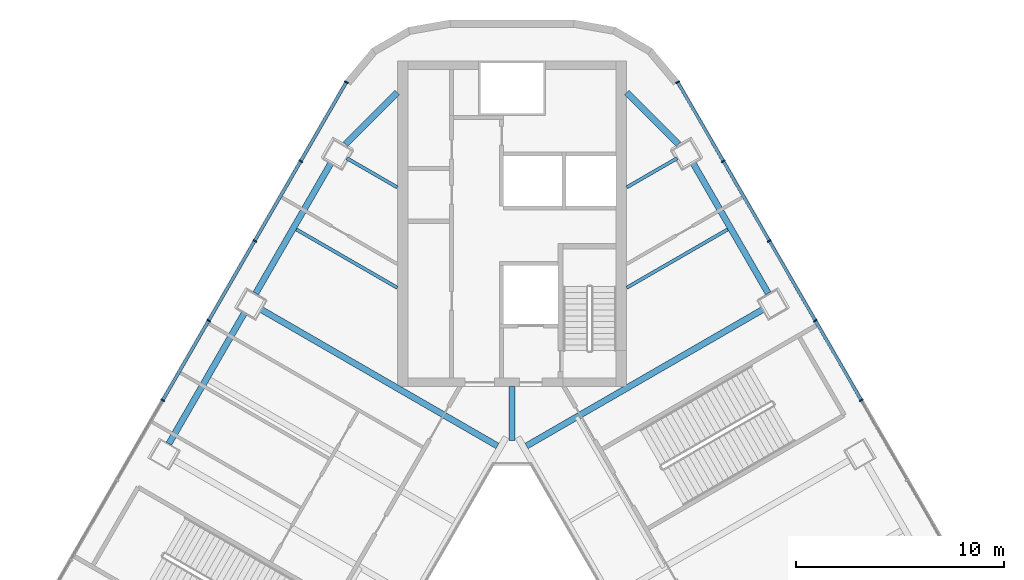
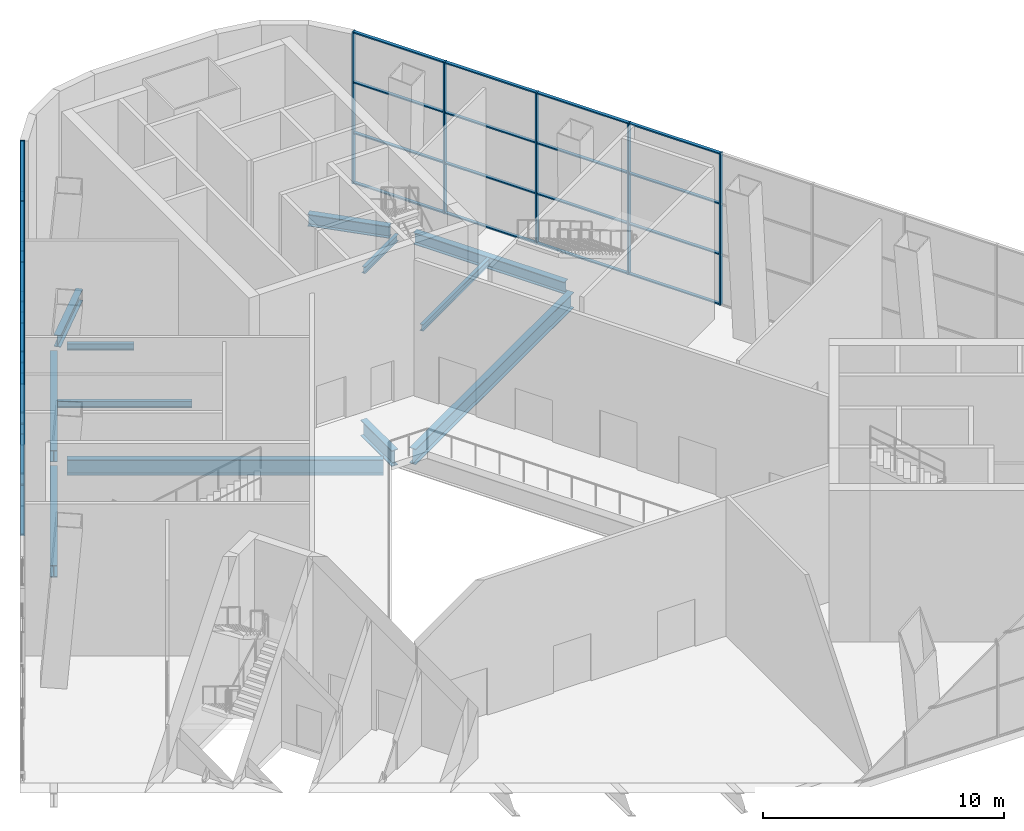
# One storey, part 6 of 16: 42 members, 12 beams, 2 elements without a shape of their own.
"""IFC4 building model written with IfcOpenShell, lengths in metres."""

from ifc_helpers import new_model, si_unit, direction, frame, origin, origin_2d, place, context, subcontext, project, spatial, rectangle, i_section, extrude, material, layer, layer_set, material_profile, profile_set, type_object, element, aggregate, save


model = new_model("IFC4")

# Units and contexts
model_context = context("Model", 3, precision=1e-05, world=origin(), true_north=direction((0.0, 1.0)))
body_context = subcontext(model_context, "Body", "Model", "MODEL_VIEW")
ifc_project = project(units=[si_unit("LENGTHUNIT", "METRE"), si_unit("AREAUNIT", "SQUARE_METRE"), si_unit("VOLUMEUNIT", "CUBIC_METRE"), si_unit("PLANEANGLEUNIT", "RADIAN"), si_unit("MASSUNIT", "GRAM", prefix="KILO")], contexts=[model_context])

# Site, building, storey
site_placement = place(None, origin())
site = spatial("IfcSite", under=ifc_project, at=site_placement, CompositionType="ELEMENT")
building_placement = place(site_placement, origin())
building = spatial("IfcBuilding", under=site, at=building_placement, Name="Apuvela Tower Hotel", CompositionType="ELEMENT")
storey_placement = place(building_placement, frame((0.0, 0.0, 15.5)))
storey = spatial("IfcBuildingStorey", under=building, at=storey_placement, Name="L02", CompositionType="ELEMENT", Elevation=15.5)

# Curtain wall, members
ifc_material_1 = material(Name="Aluminium 6063-T6, dark bronze anodised", Category="aluminium")
ifc_layer = layer(ifc_material_1, 0.199951171875)
ifc_layer_set = layer_set([ifc_layer], Name="ENV-CW-P")
curtain_wall_type = type_object("IfcCurtainWallType", Name="ENV-CW-P", PredefinedType="NOTDEFINED", material=ifc_layer_set)
curtain_wall_1_placement = place(storey_placement, origin())
curtain_wall_1 = element("IfcCurtainWall", 1, at=curtain_wall_1_placement, inside=storey, type_object=curtain_wall_type, Name="Curtain wall CW-P NE L02", PredefinedType="NOTDEFINED")
ifc_material_profile_1 = material_profile(ifc_material_1, rectangle(XDim=0.199951171875, YDim=0.06494140625, at=origin_2d()), Name="AL 65x200")
ifc_profile_set_1 = profile_set([ifc_material_profile_1], Name="Aluminium 6063-T6, dark bronze anodised")
member_type_1 = type_object("IfcMemberType", Name="ENV-MULLION-65x200", PredefinedType="MULLION", material=ifc_profile_set_1)
member_1_placement = place(storey_placement, frame((16.763427734375, 12.227783203125, 0.0), z_axis=(0.0, 0.0, 1.0), x_axis=(-0.866024643727, -0.500001316455, 0.0)))
member_1 = element("IfcMember", 2, at=member_1_placement, type_object=member_type_1, Name="CW-P mullion 6", PredefinedType="MULLION", context=body_context, shape_type="SweptSolid", body=[
    extrude(rectangle(XDim=0.199951171875, YDim=0.06494140625, at=origin_2d()), origin(), (0.0, 0.0, 1.0), 7.699951171875),
])
member_2_placement = place(storey_placement, frame((14.555419921875, 16.052001953125, 0.0), z_axis=(0.0, 0.0, 1.0), x_axis=(-0.866024643727, -0.500001316455, 0.0)))
member_2 = element("IfcMember", 3, at=member_2_placement, type_object=member_type_1, Name="CW-P mullion 7", PredefinedType="MULLION", context=body_context, shape_type="SweptSolid", body=[
    extrude(rectangle(XDim=0.199951171875, YDim=0.06494140625, at=origin_2d()), origin(), (0.0, 0.0, 1.0), 7.699951171875),
])
member_3_placement = place(storey_placement, frame((12.347412109375, 19.87646484375, 0.0), z_axis=(0.0, 0.0, 1.0), x_axis=(-0.866024643727, -0.500001316455, 0.0)))
member_3 = element("IfcMember", 4, at=member_3_placement, type_object=member_type_1, Name="CW-P mullion 8", PredefinedType="MULLION", context=body_context, shape_type="SweptSolid", body=[
    extrude(rectangle(XDim=0.199951171875, YDim=0.06494140625, at=origin_2d()), origin(), (0.0, 0.0, 1.0), 7.699951171875),
])
member_4_placement = place(storey_placement, frame((10.139404296875, 23.70068359375, 0.0), z_axis=(0.0, 0.0, 1.0), x_axis=(-0.866024643727, -0.500001316455, 0.0)))
member_4 = element("IfcMember", 5, at=member_4_placement, type_object=member_type_1, Name="CW-P mullion 9", PredefinedType="MULLION", context=body_context, shape_type="SweptSolid", body=[
    extrude(rectangle(XDim=0.199951171875, YDim=0.06494140625, at=origin_2d()), origin(), (0.0, 0.0, 1.0), 7.699951171875),
])
member_5_placement = place(storey_placement, frame((7.94775390625, 27.496826171875, 0.0), z_axis=(0.0, 0.0, 1.0), x_axis=(-0.866024643727, -0.500001316455, 0.0)))
member_5 = element("IfcMember", 6, at=member_5_placement, type_object=member_type_1, Name="CW-P mullion 10", PredefinedType="MULLION", context=body_context, shape_type="SweptSolid", body=[
    extrude(rectangle(XDim=0.199951171875, YDim=0.06494140625, at=origin_2d()), origin(), (0.0, 0.0, 1.0), 7.699951171875),
])

curtain_wall_2_placement = place(storey_placement, origin())
curtain_wall_2 = element("IfcCurtainWall", 7, at=curtain_wall_2_placement, inside=storey, type_object=curtain_wall_type, Name="Curtain wall CW-P NW L02", PredefinedType="NOTDEFINED")
member_6_placement = place(storey_placement, frame((-7.94775390625, 27.496826171875, 0.0), z_axis=(0.0, 0.0, 1.0), x_axis=(0.866024643727, -0.500001316455, 0.0)))
member_6 = element("IfcMember", 8, at=member_6_placement, type_object=member_type_1, Name="CW-P mullion 1", PredefinedType="MULLION", context=body_context, shape_type="SweptSolid", body=[
    extrude(rectangle(XDim=0.199951171875, YDim=0.06494140625, at=origin_2d()), origin(), (0.0, 0.0, 1.0), 7.699951171875),
])
member_7_placement = place(storey_placement, frame((-10.139404296875, 23.70068359375, 0.0), z_axis=(0.0, 0.0, 1.0), x_axis=(0.866024643727, -0.500001316455, 0.0)))
member_7 = element("IfcMember", 9, at=member_7_placement, type_object=member_type_1, Name="CW-P mullion 2", PredefinedType="MULLION", context=body_context, shape_type="SweptSolid", body=[
    extrude(rectangle(XDim=0.199951171875, YDim=0.06494140625, at=origin_2d()), origin(), (0.0, 0.0, 1.0), 7.699951171875),
])
member_8_placement = place(storey_placement, frame((-12.347412109375, 19.87646484375, 0.0), z_axis=(0.0, 0.0, 1.0), x_axis=(0.866024643727, -0.500001316455, 0.0)))
member_8 = element("IfcMember", 10, at=member_8_placement, type_object=member_type_1, Name="CW-P mullion 3", PredefinedType="MULLION", context=body_context, shape_type="SweptSolid", body=[
    extrude(rectangle(XDim=0.199951171875, YDim=0.06494140625, at=origin_2d()), origin(), (0.0, 0.0, 1.0), 7.699951171875),
])
member_9_placement = place(storey_placement, frame((-14.555419921875, 16.052001953125, 0.0), z_axis=(0.0, 0.0, 1.0), x_axis=(0.866024643727, -0.500001316455, 0.0)))
member_9 = element("IfcMember", 11, at=member_9_placement, type_object=member_type_1, Name="CW-P mullion 4", PredefinedType="MULLION", context=body_context, shape_type="SweptSolid", body=[
    extrude(rectangle(XDim=0.199951171875, YDim=0.06494140625, at=origin_2d()), origin(), (0.0, 0.0, 1.0), 7.699951171875),
])
member_10_placement = place(storey_placement, frame((-16.763427734375, 12.227783203125, 0.0), z_axis=(0.0, 0.0, 1.0), x_axis=(0.866024643727, -0.500001316455, 0.0)))
member_10 = element("IfcMember", 12, at=member_10_placement, type_object=member_type_1, Name="CW-P mullion 5", PredefinedType="MULLION", context=body_context, shape_type="SweptSolid", body=[
    extrude(rectangle(XDim=0.199951171875, YDim=0.06494140625, at=origin_2d()), origin(), (0.0, 0.0, 1.0), 7.699951171875),
])

# Member
ifc_material_profile_2 = material_profile(ifc_material_1, rectangle(XDim=0.14990234375, YDim=0.06494140625, at=origin_2d()), Name="AL 65x150 transom")
ifc_profile_set_2 = profile_set([ifc_material_profile_2], Name="Aluminium 6063-T6, dark bronze anodised")
member_type_2 = type_object("IfcMemberType", Name="ENV-TRANSOM-65x150", PredefinedType="USERDEFINED", material=ifc_profile_set_2)
member_11_placement = place(storey_placement, frame((16.7470703125, 12.255859375, 0.032470703125), z_axis=(-0.500007404367, 0.866021128829, 0.0), x_axis=(-0.866021128829, -0.500007404367, 0.0)))
member_11 = element("IfcMember", 13, at=member_11_placement, type_object=member_type_2, Name="CW-P transom 6.1", ObjectType="TRANSOM", PredefinedType="USERDEFINED", context=body_context, shape_type="SweptSolid", body=[
    extrude(rectangle(XDim=0.14990234375, YDim=0.06494140625, at=origin_2d()), origin(), (0.0, 0.0, 1.0), 4.35107421875),
])

member_12_placement = place(storey_placement, frame((16.7470703125, 12.255859375, 2.566650390625), z_axis=(-0.500007404367, 0.866021128829, 0.0), x_axis=(-0.866021128829, -0.500007404367, 0.0)))
member_12 = element("IfcMember", 14, at=member_12_placement, type_object=member_type_2, Name="CW-P transom 6.2", ObjectType="TRANSOM", PredefinedType="USERDEFINED", context=body_context, shape_type="SweptSolid", body=[
    extrude(rectangle(XDim=0.14990234375, YDim=0.06494140625, at=origin_2d()), origin(), (0.0, 0.0, 1.0), 4.35107421875),
])

member_13_placement = place(storey_placement, frame((16.7470703125, 12.255859375, 5.13330078125), z_axis=(-0.500007404367, 0.866021128829, 0.0), x_axis=(-0.866021128829, -0.500007404367, 0.0)))
member_13 = element("IfcMember", 15, at=member_13_placement, type_object=member_type_2, Name="CW-P transom 6.3", ObjectType="TRANSOM", PredefinedType="USERDEFINED", context=body_context, shape_type="SweptSolid", body=[
    extrude(rectangle(XDim=0.14990234375, YDim=0.06494140625, at=origin_2d()), origin(), (0.0, 0.0, 1.0), 4.35107421875),
])

member_14_placement = place(storey_placement, frame((16.7470703125, 12.255859375, 7.66748046875), z_axis=(-0.500007404367, 0.866021128829, 0.0), x_axis=(-0.866021128829, -0.500007404367, 0.0)))
member_14 = element("IfcMember", 16, at=member_14_placement, type_object=member_type_2, Name="CW-P transom 6.4", ObjectType="TRANSOM", PredefinedType="USERDEFINED", context=body_context, shape_type="SweptSolid", body=[
    extrude(rectangle(XDim=0.14990234375, YDim=0.06494140625, at=origin_2d()), origin(), (0.0, 0.0, 1.0), 4.35107421875),
])

member_15_placement = place(storey_placement, frame((14.5390625, 16.080322265625, 0.032470703125), z_axis=(-0.499989616998, 0.866031398331, 0.0), x_axis=(-0.866031398331, -0.499989616998, 0.0)))
member_15 = element("IfcMember", 17, at=member_15_placement, type_object=member_type_2, Name="CW-P transom 7.1", ObjectType="TRANSOM", PredefinedType="USERDEFINED", context=body_context, shape_type="SweptSolid", body=[
    extrude(rectangle(XDim=0.14990234375, YDim=0.06494140625, at=origin_2d()), origin(), (0.0, 0.0, 1.0), 4.3505859375),
])

member_16_placement = place(storey_placement, frame((14.5390625, 16.080322265625, 2.566650390625), z_axis=(-0.499989616998, 0.866031398331, 0.0), x_axis=(-0.866031398331, -0.499989616998, 0.0)))
member_16 = element("IfcMember", 18, at=member_16_placement, type_object=member_type_2, Name="CW-P transom 7.2", ObjectType="TRANSOM", PredefinedType="USERDEFINED", context=body_context, shape_type="SweptSolid", body=[
    extrude(rectangle(XDim=0.14990234375, YDim=0.06494140625, at=origin_2d()), origin(), (0.0, 0.0, 1.0), 4.3505859375),
])

member_17_placement = place(storey_placement, frame((14.5390625, 16.080322265625, 5.13330078125), z_axis=(-0.499989616998, 0.866031398331, 0.0), x_axis=(-0.866031398331, -0.499989616998, 0.0)))
member_17 = element("IfcMember", 19, at=member_17_placement, type_object=member_type_2, Name="CW-P transom 7.3", ObjectType="TRANSOM", PredefinedType="USERDEFINED", context=body_context, shape_type="SweptSolid", body=[
    extrude(rectangle(XDim=0.14990234375, YDim=0.06494140625, at=origin_2d()), origin(), (0.0, 0.0, 1.0), 4.3505859375),
])

member_18_placement = place(storey_placement, frame((14.5390625, 16.080322265625, 7.66748046875), z_axis=(-0.499989616998, 0.866031398331, 0.0), x_axis=(-0.866031398331, -0.499989616998, 0.0)))
member_18 = element("IfcMember", 20, at=member_18_placement, type_object=member_type_2, Name="CW-P transom 7.4", ObjectType="TRANSOM", PredefinedType="USERDEFINED", context=body_context, shape_type="SweptSolid", body=[
    extrude(rectangle(XDim=0.14990234375, YDim=0.06494140625, at=origin_2d()), origin(), (0.0, 0.0, 1.0), 4.3505859375),
])

member_19_placement = place(storey_placement, frame((12.3310546875, 19.904541015625, 0.032470703125), z_axis=(-0.499989616998, 0.866031398331, 0.0), x_axis=(-0.866031398331, -0.499989616998, 0.0)))
member_19 = element("IfcMember", 21, at=member_19_placement, type_object=member_type_2, Name="CW-P transom 8.1", ObjectType="TRANSOM", PredefinedType="USERDEFINED", context=body_context, shape_type="SweptSolid", body=[
    extrude(rectangle(XDim=0.14990234375, YDim=0.06494140625, at=origin_2d()), origin(), (0.0, 0.0, 1.0), 4.3505859375),
])

member_20_placement = place(storey_placement, frame((12.3310546875, 19.904541015625, 2.566650390625), z_axis=(-0.499989616998, 0.866031398331, 0.0), x_axis=(-0.866031398331, -0.499989616998, 0.0)))
member_20 = element("IfcMember", 22, at=member_20_placement, type_object=member_type_2, Name="CW-P transom 8.2", ObjectType="TRANSOM", PredefinedType="USERDEFINED", context=body_context, shape_type="SweptSolid", body=[
    extrude(rectangle(XDim=0.14990234375, YDim=0.06494140625, at=origin_2d()), origin(), (0.0, 0.0, 1.0), 4.3505859375),
])

member_21_placement = place(storey_placement, frame((12.3310546875, 19.904541015625, 5.13330078125), z_axis=(-0.499989616998, 0.866031398331, 0.0), x_axis=(-0.866031398331, -0.499989616998, 0.0)))
member_21 = element("IfcMember", 23, at=member_21_placement, type_object=member_type_2, Name="CW-P transom 8.3", ObjectType="TRANSOM", PredefinedType="USERDEFINED", context=body_context, shape_type="SweptSolid", body=[
    extrude(rectangle(XDim=0.14990234375, YDim=0.06494140625, at=origin_2d()), origin(), (0.0, 0.0, 1.0), 4.3505859375),
])

member_22_placement = place(storey_placement, frame((12.3310546875, 19.904541015625, 7.66748046875), z_axis=(-0.499989616998, 0.866031398331, 0.0), x_axis=(-0.866031398331, -0.499989616998, 0.0)))
member_22 = element("IfcMember", 24, at=member_22_placement, type_object=member_type_2, Name="CW-P transom 8.4", ObjectType="TRANSOM", PredefinedType="USERDEFINED", context=body_context, shape_type="SweptSolid", body=[
    extrude(rectangle(XDim=0.14990234375, YDim=0.06494140625, at=origin_2d()), origin(), (0.0, 0.0, 1.0), 4.3505859375),
])

member_23_placement = place(storey_placement, frame((10.123291015625, 23.728759765625, 0.032470703125), z_axis=(-0.500006299954, 0.866021766474, 0.0), x_axis=(-0.866021766474, -0.500006299954, 0.0)))
member_23 = element("IfcMember", 25, at=member_23_placement, type_object=member_type_2, Name="CW-P transom 9.1", ObjectType="TRANSOM", PredefinedType="USERDEFINED", context=body_context, shape_type="SweptSolid", body=[
    extrude(rectangle(XDim=0.14990234375, YDim=0.06494140625, at=origin_2d()), origin(), (0.0, 0.0, 1.0), 4.318359375),
])

member_24_placement = place(storey_placement, frame((10.123291015625, 23.728759765625, 2.566650390625), z_axis=(-0.500006299954, 0.866021766474, 0.0), x_axis=(-0.866021766474, -0.500006299954, 0.0)))
member_24 = element("IfcMember", 26, at=member_24_placement, type_object=member_type_2, Name="CW-P transom 9.2", ObjectType="TRANSOM", PredefinedType="USERDEFINED", context=body_context, shape_type="SweptSolid", body=[
    extrude(rectangle(XDim=0.14990234375, YDim=0.06494140625, at=origin_2d()), origin(), (0.0, 0.0, 1.0), 4.318359375),
])

member_25_placement = place(storey_placement, frame((10.123291015625, 23.728759765625, 5.13330078125), z_axis=(-0.500006299954, 0.866021766474, 0.0), x_axis=(-0.866021766474, -0.500006299954, 0.0)))
member_25 = element("IfcMember", 27, at=member_25_placement, type_object=member_type_2, Name="CW-P transom 9.3", ObjectType="TRANSOM", PredefinedType="USERDEFINED", context=body_context, shape_type="SweptSolid", body=[
    extrude(rectangle(XDim=0.14990234375, YDim=0.06494140625, at=origin_2d()), origin(), (0.0, 0.0, 1.0), 4.318359375),
])

member_26_placement = place(storey_placement, frame((10.123291015625, 23.728759765625, 7.66748046875), z_axis=(-0.500006299954, 0.866021766474, 0.0), x_axis=(-0.866021766474, -0.500006299954, 0.0)))
member_26 = element("IfcMember", 28, at=member_26_placement, type_object=member_type_2, Name="CW-P transom 9.4", ObjectType="TRANSOM", PredefinedType="USERDEFINED", context=body_context, shape_type="SweptSolid", body=[
    extrude(rectangle(XDim=0.14990234375, YDim=0.06494140625, at=origin_2d()), origin(), (0.0, 0.0, 1.0), 4.318359375),
])

aggregate(curtain_wall_1, [member_1, member_2, member_3, member_4, member_5, member_11, member_12, member_13, member_14, member_15, member_16, member_17, member_18, member_19, member_20, member_21, member_22, member_23, member_24, member_25, member_26])

member_27_placement = place(storey_placement, frame((-7.964111328125, 27.468505859375, 0.032470703125), z_axis=(-0.500006299954, -0.866021766474, 0.0), x_axis=(0.866021766474, -0.500006299954, 0.0)))
member_27 = element("IfcMember", 29, at=member_27_placement, type_object=member_type_2, Name="CW-P transom 1.1", ObjectType="TRANSOM", PredefinedType="USERDEFINED", context=body_context, shape_type="SweptSolid", body=[
    extrude(rectangle(XDim=0.14990234375, YDim=0.06494140625, at=origin_2d()), origin(), (0.0, 0.0, 1.0), 4.318359375),
])

member_28_placement = place(storey_placement, frame((-7.964111328125, 27.468505859375, 2.566650390625), z_axis=(-0.500006299954, -0.866021766474, 0.0), x_axis=(0.866021766474, -0.500006299954, 0.0)))
member_28 = element("IfcMember", 30, at=member_28_placement, type_object=member_type_2, Name="CW-P transom 1.2", ObjectType="TRANSOM", PredefinedType="USERDEFINED", context=body_context, shape_type="SweptSolid", body=[
    extrude(rectangle(XDim=0.14990234375, YDim=0.06494140625, at=origin_2d()), origin(), (0.0, 0.0, 1.0), 4.318359375),
])

member_29_placement = place(storey_placement, frame((-7.964111328125, 27.468505859375, 5.13330078125), z_axis=(-0.500006299954, -0.866021766474, 0.0), x_axis=(0.866021766474, -0.500006299954, 0.0)))
member_29 = element("IfcMember", 31, at=member_29_placement, type_object=member_type_2, Name="CW-P transom 1.3", ObjectType="TRANSOM", PredefinedType="USERDEFINED", context=body_context, shape_type="SweptSolid", body=[
    extrude(rectangle(XDim=0.14990234375, YDim=0.06494140625, at=origin_2d()), origin(), (0.0, 0.0, 1.0), 4.318359375),
])

member_30_placement = place(storey_placement, frame((-7.964111328125, 27.468505859375, 7.66748046875), z_axis=(-0.500006299954, -0.866021766474, 0.0), x_axis=(0.866021766474, -0.500006299954, 0.0)))
member_30 = element("IfcMember", 32, at=member_30_placement, type_object=member_type_2, Name="CW-P transom 1.4", ObjectType="TRANSOM", PredefinedType="USERDEFINED", context=body_context, shape_type="SweptSolid", body=[
    extrude(rectangle(XDim=0.14990234375, YDim=0.06494140625, at=origin_2d()), origin(), (0.0, 0.0, 1.0), 4.318359375),
])

member_31_placement = place(storey_placement, frame((-10.15576171875, 23.67236328125, 0.032470703125), z_axis=(-0.499989616998, -0.866031398331, 0.0), x_axis=(0.866031398331, -0.499989616998, 0.0)))
member_31 = element("IfcMember", 33, at=member_31_placement, type_object=member_type_2, Name="CW-P transom 2.1", ObjectType="TRANSOM", PredefinedType="USERDEFINED", context=body_context, shape_type="SweptSolid", body=[
    extrude(rectangle(XDim=0.14990234375, YDim=0.06494140625, at=origin_2d()), origin(), (0.0, 0.0, 1.0), 4.3505859375),
])

member_32_placement = place(storey_placement, frame((-10.15576171875, 23.67236328125, 2.566650390625), z_axis=(-0.499989616998, -0.866031398331, 0.0), x_axis=(0.866031398331, -0.499989616998, 0.0)))
member_32 = element("IfcMember", 34, at=member_32_placement, type_object=member_type_2, Name="CW-P transom 2.2", ObjectType="TRANSOM", PredefinedType="USERDEFINED", context=body_context, shape_type="SweptSolid", body=[
    extrude(rectangle(XDim=0.14990234375, YDim=0.06494140625, at=origin_2d()), origin(), (0.0, 0.0, 1.0), 4.3505859375),
])

member_33_placement = place(storey_placement, frame((-10.15576171875, 23.67236328125, 5.13330078125), z_axis=(-0.499989616998, -0.866031398331, 0.0), x_axis=(0.866031398331, -0.499989616998, 0.0)))
member_33 = element("IfcMember", 35, at=member_33_placement, type_object=member_type_2, Name="CW-P transom 2.3", ObjectType="TRANSOM", PredefinedType="USERDEFINED", context=body_context, shape_type="SweptSolid", body=[
    extrude(rectangle(XDim=0.14990234375, YDim=0.06494140625, at=origin_2d()), origin(), (0.0, 0.0, 1.0), 4.3505859375),
])

member_34_placement = place(storey_placement, frame((-10.15576171875, 23.67236328125, 7.66748046875), z_axis=(-0.499989616998, -0.866031398331, 0.0), x_axis=(0.866031398331, -0.499989616998, 0.0)))
member_34 = element("IfcMember", 36, at=member_34_placement, type_object=member_type_2, Name="CW-P transom 2.4", ObjectType="TRANSOM", PredefinedType="USERDEFINED", context=body_context, shape_type="SweptSolid", body=[
    extrude(rectangle(XDim=0.14990234375, YDim=0.06494140625, at=origin_2d()), origin(), (0.0, 0.0, 1.0), 4.3505859375),
])

member_35_placement = place(storey_placement, frame((-12.36376953125, 19.84814453125, 0.032470703125), z_axis=(-0.499989616998, -0.866031398331, 0.0), x_axis=(0.866031398331, -0.499989616998, 0.0)))
member_35 = element("IfcMember", 37, at=member_35_placement, type_object=member_type_2, Name="CW-P transom 3.1", ObjectType="TRANSOM", PredefinedType="USERDEFINED", context=body_context, shape_type="SweptSolid", body=[
    extrude(rectangle(XDim=0.14990234375, YDim=0.06494140625, at=origin_2d()), origin(), (0.0, 0.0, 1.0), 4.3505859375),
])

member_36_placement = place(storey_placement, frame((-12.36376953125, 19.84814453125, 2.566650390625), z_axis=(-0.499989616998, -0.866031398331, 0.0), x_axis=(0.866031398331, -0.499989616998, 0.0)))
member_36 = element("IfcMember", 38, at=member_36_placement, type_object=member_type_2, Name="CW-P transom 3.2", ObjectType="TRANSOM", PredefinedType="USERDEFINED", context=body_context, shape_type="SweptSolid", body=[
    extrude(rectangle(XDim=0.14990234375, YDim=0.06494140625, at=origin_2d()), origin(), (0.0, 0.0, 1.0), 4.3505859375),
])

member_37_placement = place(storey_placement, frame((-12.36376953125, 19.84814453125, 5.13330078125), z_axis=(-0.499989616998, -0.866031398331, 0.0), x_axis=(0.866031398331, -0.499989616998, 0.0)))
member_37 = element("IfcMember", 39, at=member_37_placement, type_object=member_type_2, Name="CW-P transom 3.3", ObjectType="TRANSOM", PredefinedType="USERDEFINED", context=body_context, shape_type="SweptSolid", body=[
    extrude(rectangle(XDim=0.14990234375, YDim=0.06494140625, at=origin_2d()), origin(), (0.0, 0.0, 1.0), 4.3505859375),
])

member_38_placement = place(storey_placement, frame((-12.36376953125, 19.84814453125, 7.66748046875), z_axis=(-0.499989616998, -0.866031398331, 0.0), x_axis=(0.866031398331, -0.499989616998, 0.0)))
member_38 = element("IfcMember", 40, at=member_38_placement, type_object=member_type_2, Name="CW-P transom 3.4", ObjectType="TRANSOM", PredefinedType="USERDEFINED", context=body_context, shape_type="SweptSolid", body=[
    extrude(rectangle(XDim=0.14990234375, YDim=0.06494140625, at=origin_2d()), origin(), (0.0, 0.0, 1.0), 4.3505859375),
])

member_39_placement = place(storey_placement, frame((-14.571533203125, 16.02392578125, 0.032470703125), z_axis=(-0.500007404367, -0.866021128829, 0.0), x_axis=(0.866021128829, -0.500007404367, 0.0)))
member_39 = element("IfcMember", 41, at=member_39_placement, type_object=member_type_2, Name="CW-P transom 4.1", ObjectType="TRANSOM", PredefinedType="USERDEFINED", context=body_context, shape_type="SweptSolid", body=[
    extrude(rectangle(XDim=0.14990234375, YDim=0.06494140625, at=origin_2d()), origin(), (0.0, 0.0, 1.0), 4.35107421875),
])

member_40_placement = place(storey_placement, frame((-14.571533203125, 16.02392578125, 2.566650390625), z_axis=(-0.500007404367, -0.866021128829, 0.0), x_axis=(0.866021128829, -0.500007404367, 0.0)))
member_40 = element("IfcMember", 42, at=member_40_placement, type_object=member_type_2, Name="CW-P transom 4.2", ObjectType="TRANSOM", PredefinedType="USERDEFINED", context=body_context, shape_type="SweptSolid", body=[
    extrude(rectangle(XDim=0.14990234375, YDim=0.06494140625, at=origin_2d()), origin(), (0.0, 0.0, 1.0), 4.35107421875),
])

member_41_placement = place(storey_placement, frame((-14.571533203125, 16.02392578125, 5.13330078125), z_axis=(-0.500007404367, -0.866021128829, 0.0), x_axis=(0.866021128829, -0.500007404367, 0.0)))
member_41 = element("IfcMember", 43, at=member_41_placement, type_object=member_type_2, Name="CW-P transom 4.3", ObjectType="TRANSOM", PredefinedType="USERDEFINED", context=body_context, shape_type="SweptSolid", body=[
    extrude(rectangle(XDim=0.14990234375, YDim=0.06494140625, at=origin_2d()), origin(), (0.0, 0.0, 1.0), 4.35107421875),
])

member_42_placement = place(storey_placement, frame((-14.571533203125, 16.02392578125, 7.66748046875), z_axis=(-0.500007404367, -0.866021128829, 0.0), x_axis=(0.866021128829, -0.500007404367, 0.0)))
member_42 = element("IfcMember", 44, at=member_42_placement, type_object=member_type_2, Name="CW-P transom 4.4", ObjectType="TRANSOM", PredefinedType="USERDEFINED", context=body_context, shape_type="SweptSolid", body=[
    extrude(rectangle(XDim=0.14990234375, YDim=0.06494140625, at=origin_2d()), origin(), (0.0, 0.0, 1.0), 4.35107421875),
])

aggregate(curtain_wall_2, [member_6, member_7, member_8, member_9, member_10, member_27, member_28, member_29, member_30, member_31, member_32, member_33, member_34, member_35, member_36, member_37, member_38, member_39, member_40, member_41, member_42])

# Beams
ifc_material_2 = material(Name="Steel S355", Category="steel")
ifc_material_profile_3 = material_profile(ifc_material_2, i_section(OverallWidth=0.300048828125, OverallDepth=0.7900390625, WebThickness=0.014892578125, FlangeThickness=0.028076171875, at=origin_2d()), Name="HE 800 A")
ifc_profile_set_3 = profile_set([ifc_material_profile_3], Name="Steel S355")
beam_type_1 = type_object("IfcBeamType", Name="STR-B floor beam HE 800 A", PredefinedType="BEAM", material=ifc_profile_set_3)
for number, where, z_axis, x_axis, name in (
    (45, (12.093505859375, 16.6162109375, -0.7451171875), (-0.866026473983, -0.499998146358, 0.0), (0.499998146358, -0.866026473983, 0.0), "Floor beam B5 NE7"),
    (46, (-12.093505859375, 16.6162109375, -0.7451171875), (0.866026473983, -0.499998146358, 0.0), (0.499998146358, 0.866026473983, 0.0), "Floor beam B5 NW3"),
):
    element("IfcBeam", number, at=place(storey_placement, frame(where, z_axis=z_axis, x_axis=x_axis)), inside=storey, type_object=beam_type_1, Name=name, PredefinedType="BEAM", context=body_context, shape_type="SweptSolid", body=[
        extrude(i_section(OverallWidth=0.300048828125, OverallDepth=0.7900390625, WebThickness=0.014892578125, FlangeThickness=0.028076171875, at=origin_2d()), origin(), (0.0, 0.0, 1.0), 13.1591796875),
    ])
ifc_material_profile_4 = material_profile(ifc_material_2, i_section(OverallWidth=0.159912109375, OverallDepth=0.330078125, WebThickness=0.007568359375, FlangeThickness=0.011474609375, at=origin_2d()), Name="IPE 330")
ifc_profile_set_4 = profile_set([ifc_material_profile_4], Name="Steel S355")
beam_type_2 = type_object("IfcBeamType", Name="STR-B floor beam IPE 330", PredefinedType="BEAM", material=ifc_profile_set_4)
beam_1_placement = place(storey_placement, frame((10.35400390625, 20.428955078125, -0.514892578125), z_axis=(-0.866004242149, -0.500036651236, 0.0), x_axis=(0.500036651236, -0.866004242149, 0.0)))
element("IfcBeam", 47, at=beam_1_placement, inside=storey, type_object=beam_type_2, Name="Floor beam B1 NE8", PredefinedType="BEAM", context=body_context, shape_type="SweptSolid", body=[
    extrude(i_section(OverallWidth=0.159912109375, OverallDepth=0.330078125, WebThickness=0.007568359375, FlangeThickness=0.011474609375, at=origin_2d()), origin(), (0.0, 0.0, 1.0), 5.60498046875),
])
for number, where, z_axis, x_axis, name in (
    (48, (7.921875, 23.841552734375, -0.514892578125), (-0.866037299004, -0.49997939631, 0.0), (0.49997939631, -0.866037299004, 0.0), "Floor beam B1 NE9"),
    (49, (-7.921875, 23.841552734375, -0.514892578125), (0.866037299004, -0.49997939631, 0.0), (0.49997939631, 0.866037299004, 0.0), "Floor beam B1 NW1"),
):
    element("IfcBeam", number, at=place(storey_placement, frame(where, z_axis=z_axis, x_axis=x_axis)), inside=storey, type_object=beam_type_2, Name=name, PredefinedType="BEAM", context=body_context, shape_type="SweptSolid", body=[
        extrude(i_section(OverallWidth=0.159912109375, OverallDepth=0.330078125, WebThickness=0.007568359375, FlangeThickness=0.011474609375, at=origin_2d()), origin(), (0.0, 0.0, 1.0), 2.79638671875),
    ])
beam_2_placement = place(storey_placement, frame((-10.35400390625, 20.428955078125, -0.514892578125), z_axis=(0.866004242149, -0.500036651236, 0.0), x_axis=(0.500036651236, 0.866004242149, 0.0)))
element("IfcBeam", 50, at=beam_2_placement, inside=storey, type_object=beam_type_2, Name="Floor beam B1 NW2", PredefinedType="BEAM", context=body_context, shape_type="SweptSolid", body=[
    extrude(i_section(OverallWidth=0.159912109375, OverallDepth=0.330078125, WebThickness=0.007568359375, FlangeThickness=0.011474609375, at=origin_2d()), origin(), (0.0, 0.0, 1.0), 5.60498046875),
])
ifc_material_profile_5 = material_profile(ifc_material_2, i_section(OverallWidth=0.300048828125, OverallDepth=0.800048828125, WebThickness=0.017578125, FlangeThickness=0.032958984375, at=origin_2d()), Name="HE 800 B")
ifc_profile_set_5 = profile_set([ifc_material_profile_5], Name="Steel S355")
beam_type_3 = type_object("IfcBeamType", Name="STR-GT core tie beam HE 800 B", PredefinedType="BEAM", material=ifc_profile_set_5)
beam_3_placement = place(storey_placement, frame((0.0, 12.89990234375, -0.75), z_axis=(0.0, -1.0, 0.0), x_axis=(1.0, 0.0, 0.0)))
element("IfcBeam", 51, at=beam_3_placement, inside=storey, type_object=beam_type_3, Name="Core tie beam GT1 N", PredefinedType="BEAM", context=body_context, shape_type="SweptSolid", body=[
    extrude(i_section(OverallWidth=0.300048828125, OverallDepth=0.800048828125, WebThickness=0.017578125, FlangeThickness=0.032958984375, at=origin_2d()), origin(), (0.0, 0.0, 1.0), 2.599853515625),
])
ifc_material_profile_6 = material_profile(ifc_material_2, i_section(OverallWidth=0.300048828125, OverallDepth=0.60009765625, WebThickness=0.015380859375, FlangeThickness=0.030029296875, at=origin_2d()), Name="HE 600 B")
ifc_profile_set_6 = profile_set([ifc_material_profile_6], Name="Steel S355")
beam_type_4 = type_object("IfcBeamType", Name="STR-SB spandrel beam HE 600 B", PredefinedType="SPANDREL", material=ifc_profile_set_6)
for number, where, z_axis, x_axis, name in (
    (52, (12.294921875, 17.367431640625, -0.64990234375), (-0.500014211243, 0.866017198764, 0.0), (-0.866017198764, -0.500014211243, 0.0), "Spandrel beam SB1 NE4"),
    (53, (-8.673095703125, 23.640380859375, -0.64990234375), (-0.500014211243, -0.866017198764, 0.0), (0.866017198764, -0.500014211243, 0.0), "Spandrel beam SB1 NW1"),
):
    element("IfcBeam", number, at=place(storey_placement, frame(where, z_axis=z_axis, x_axis=x_axis)), inside=storey, type_object=beam_type_4, Name=name, PredefinedType="SPANDREL", context=body_context, shape_type="SweptSolid", body=[
        extrude(i_section(OverallWidth=0.300048828125, OverallDepth=0.60009765625, WebThickness=0.015380859375, FlangeThickness=0.030029296875, at=origin_2d()), origin(), (0.0, 0.0, 1.0), 7.243408203125),
    ])
beam_4_placement = place(storey_placement, frame((-12.8447265625, 16.414794921875, -0.64990234375), z_axis=(-0.500028806583, -0.866008771657, 0.0), x_axis=(0.866008771657, -0.500028806583, 0.0)))
element("IfcBeam", 54, at=beam_4_placement, inside=storey, type_object=beam_type_4, Name="Spandrel beam SB1 NW2", PredefinedType="SPANDREL", context=body_context, shape_type="SweptSolid", body=[
    extrude(i_section(OverallWidth=0.300048828125, OverallDepth=0.60009765625, WebThickness=0.015380859375, FlangeThickness=0.030029296875, at=origin_2d()), origin(), (0.0, 0.0, 1.0), 7.2431640625),
])
for number, where, z_axis, x_axis, name in (
    (55, (7.994384765625, 24.5185546875, -0.64990234375), (-0.708943187871, 0.705265592789, 0.0), (-0.705265592789, -0.708943187871, 0.0), "Spandrel beam SB1 NE5-N"),
    (56, (-7.994384765625, 24.5185546875, -0.64990234375), (0.708943187871, 0.705265592789, 0.0), (-0.705265592789, 0.708943187871, 0.0), "Spandrel beam SB1 NW1-N"),
):
    element("IfcBeam", number, at=place(storey_placement, frame(where, z_axis=z_axis, x_axis=x_axis)), inside=storey, type_object=beam_type_4, Name=name, PredefinedType="SPANDREL", context=body_context, shape_type="SweptSolid", body=[
        extrude(i_section(OverallWidth=0.300048828125, OverallDepth=0.60009765625, WebThickness=0.015380859375, FlangeThickness=0.030029296875, at=origin_2d()), origin(), (0.0, 0.0, 1.0), 3.5185546875),
    ])

save(model, "model.ifc")
